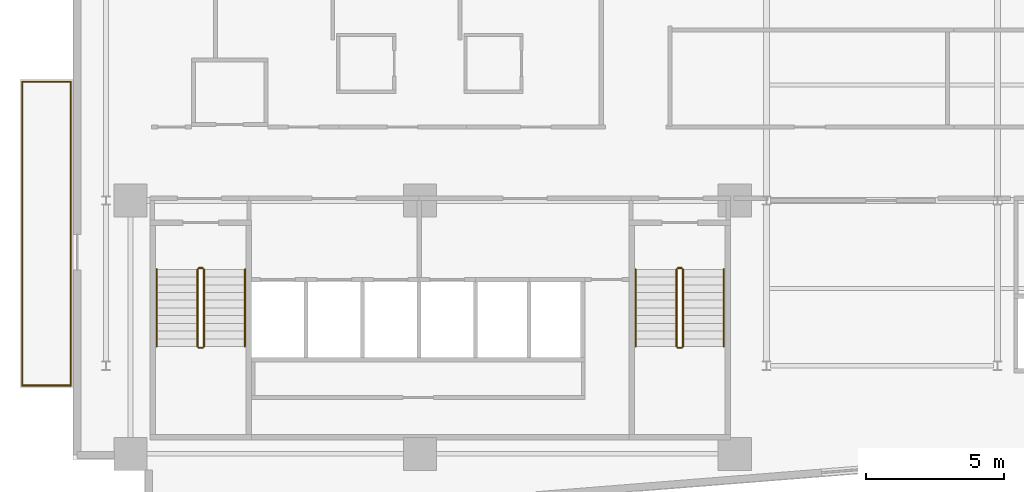
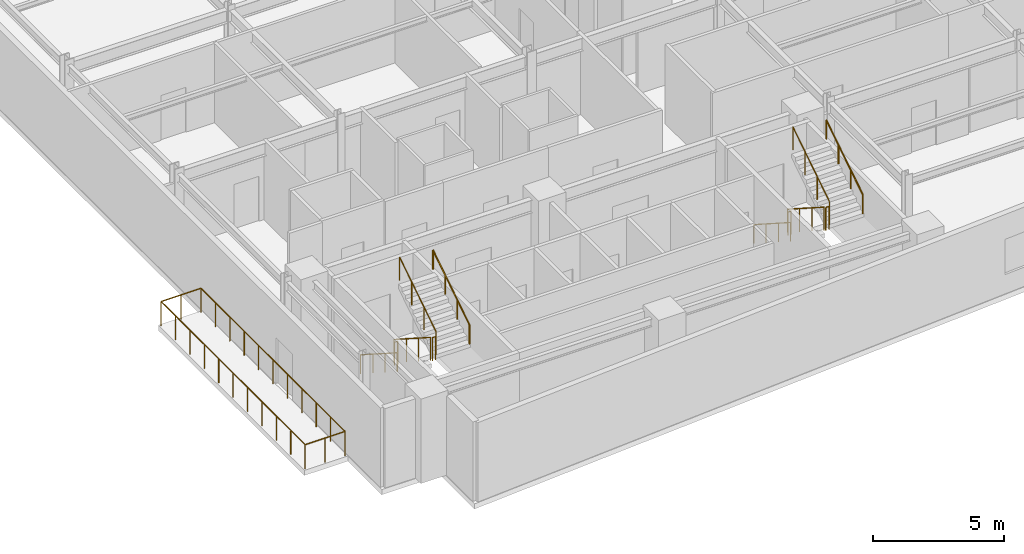
# One storey, part 15 of 18: 16 railings.
"""IFC4 building model written with IfcOpenShell, lengths in metres."""

from ifc_helpers import new_model, si_unit, direction, frame, origin, origin_2d, place, context, subcontext, project, spatial, circle, extrude, material, type_object, element, save


model = new_model("IFC4")

# Units and contexts
model_context = context("Model", 3, precision=1e-05, world=origin(), true_north=direction((0.0, 1.0)))
body_context = subcontext(model_context, "Body", "Model", "MODEL_VIEW")
ifc_project = project(units=[si_unit("LENGTHUNIT", "METRE"), si_unit("AREAUNIT", "SQUARE_METRE"), si_unit("VOLUMEUNIT", "CUBIC_METRE"), si_unit("PLANEANGLEUNIT", "RADIAN"), si_unit("MASSUNIT", "GRAM", prefix="KILO")], contexts=[model_context])

# Site, building, storey
site_placement = place(None, origin())
site = spatial("IfcSite", under=ifc_project, at=site_placement, CompositionType="ELEMENT")
building_placement = place(site_placement, origin())
building = spatial("IfcBuilding", under=site, at=building_placement, Name="Varnakote Quay Hospital", CompositionType="ELEMENT")
storey_placement = place(building_placement, frame((0.0, 0.0, 158.64990234375)))
storey = spatial("IfcBuildingStorey", under=building, at=storey_placement, Name="L39", CompositionType="ELEMENT", Elevation=158.64990234375)

# Railings
ifc_material_1 = material(Name="Anodised aluminium 6063-T6 Bronze", Category="aluminium")
railing_type_1 = type_object("IfcRailingType", Name="RLG-EXT-GUARD-1150", PredefinedType="GUARDRAIL", material=ifc_material_1)
railing_1_placement = place(storey_placement, frame((-0.075927734375, 5.280029296875, 0.0)))
element("IfcRailing", 1, at=railing_1_placement, inside=storey, type_object=railing_type_1, Name="L39 Zigzag Prow Healing Terrace Safety Guard", PredefinedType="GUARDRAIL", context=body_context, shape_type="SweptSolid", body=[
    extrude(circle(Radius=0.02392578125, at=origin_2d()), frame((0.0, 0.0, 1.1259765625), z_axis=(-1.0, 0.0, 0.0), x_axis=(0.0, -1.0, 0.0)), (0.0, 0.0, 1.0), 1.76416015625),
    extrude(circle(Radius=0.02099609375, at=origin_2d()), origin(), (0.0, 0.0, 1.0), 1.101806640625),
    extrude(circle(Radius=0.02099609375, at=origin_2d()), frame((-0.882080078125, 0.0, 0.0)), (0.0, 0.0, 1.0), 1.101806640625),
    extrude(circle(Radius=0.02099609375, at=origin_2d()), frame((-1.76416015625, 0.0, 0.0)), (0.0, 0.0, 1.0), 1.101806640625),
])
railing_2_placement = place(storey_placement, frame((-1.840087890625, 5.280029296875, 0.0)))
element("IfcRailing", 2, at=railing_2_placement, inside=storey, type_object=railing_type_1, Name="L39 Zigzag Prow Healing Terrace Safety Guard", PredefinedType="GUARDRAIL", context=body_context, shape_type="SweptSolid", body=[
    extrude(circle(Radius=0.02392578125, at=origin_2d()), frame((0.0, 0.0, 1.1259765625), z_axis=(0.0, 1.0, 0.0), x_axis=(-1.0, 0.0, 0.0)), (0.0, 0.0, 1.0), 11.0400390625),
    extrude(circle(Radius=0.02099609375, at=origin_2d()), origin(), (0.0, 0.0, 1.0), 1.101806640625),
    extrude(circle(Radius=0.02099609375, at=origin_2d()), frame((0.0, 1.10400390625, 0.0)), (0.0, 0.0, 1.0), 1.101806640625),
    extrude(circle(Radius=0.02099609375, at=origin_2d()), frame((0.0, 2.2080078125, 0.0)), (0.0, 0.0, 1.0), 1.101806640625),
    extrude(circle(Radius=0.02099609375, at=origin_2d()), frame((0.0, 3.31201171875, 0.0)), (0.0, 0.0, 1.0), 1.101806640625),
    extrude(circle(Radius=0.02099609375, at=origin_2d()), frame((0.0, 4.416015625, 0.0)), (0.0, 0.0, 1.0), 1.101806640625),
    extrude(circle(Radius=0.02099609375, at=origin_2d()), frame((0.0, 5.52001953125, 0.0)), (0.0, 0.0, 1.0), 1.101806640625),
    extrude(circle(Radius=0.02099609375, at=origin_2d()), frame((0.0, 6.6240234375, 0.0)), (0.0, 0.0, 1.0), 1.101806640625),
    extrude(circle(Radius=0.02099609375, at=origin_2d()), frame((0.0, 7.72802734375, 0.0)), (0.0, 0.0, 1.0), 1.101806640625),
    extrude(circle(Radius=0.02099609375, at=origin_2d()), frame((0.0, 8.83203125, 0.0)), (0.0, 0.0, 1.0), 1.101806640625),
    extrude(circle(Radius=0.02099609375, at=origin_2d()), frame((0.0, 9.93603515625, 0.0)), (0.0, 0.0, 1.0), 1.101806640625),
    extrude(circle(Radius=0.02099609375, at=origin_2d()), frame((0.0, 11.0400390625, 0.0)), (0.0, 0.0, 1.0), 1.101806640625),
])
railing_3_placement = place(storey_placement, frame((-1.840087890625, 16.320068359375, 0.0)))
element("IfcRailing", 3, at=railing_3_placement, inside=storey, type_object=railing_type_1, Name="L39 Zigzag Prow Healing Terrace Safety Guard", PredefinedType="GUARDRAIL", context=body_context, shape_type="SweptSolid", body=[
    extrude(circle(Radius=0.02392578125, at=origin_2d()), frame((0.0, 0.0, 1.1259765625), z_axis=(1.0, 0.0, 0.0), x_axis=(0.0, 1.0, 0.0)), (0.0, 0.0, 1.0), 1.76416015625),
    extrude(circle(Radius=0.02099609375, at=origin_2d()), origin(), (0.0, 0.0, 1.0), 1.101806640625),
    extrude(circle(Radius=0.02099609375, at=origin_2d()), frame((0.882080078125, 0.0, 0.0)), (0.0, 0.0, 1.0), 1.101806640625),
    extrude(circle(Radius=0.02099609375, at=origin_2d()), frame((1.76416015625, 0.0, 0.0)), (0.0, 0.0, 1.0), 1.101806640625),
])
railing_4_placement = place(storey_placement, frame((-0.075927734375, 16.320068359375, 0.0)))
element("IfcRailing", 4, at=railing_4_placement, inside=storey, type_object=railing_type_1, Name="L39 Zigzag Prow Healing Terrace Safety Guard", PredefinedType="GUARDRAIL", context=body_context, shape_type="SweptSolid", body=[
    extrude(circle(Radius=0.02392578125, at=origin_2d()), frame((0.0, 0.0, 1.1259765625), z_axis=(0.0, -1.0, 0.0), x_axis=(1.0, 0.0, 0.0)), (0.0, 0.0, 1.0), 11.0400390625),
    extrude(circle(Radius=0.02099609375, at=origin_2d()), origin(), (0.0, 0.0, 1.0), 1.101806640625),
    extrude(circle(Radius=0.02099609375, at=origin_2d()), frame((0.0, -1.10400390625, 0.0)), (0.0, 0.0, 1.0), 1.101806640625),
    extrude(circle(Radius=0.02099609375, at=origin_2d()), frame((0.0, -2.2080078125, 0.0)), (0.0, 0.0, 1.0), 1.101806640625),
    extrude(circle(Radius=0.02099609375, at=origin_2d()), frame((0.0, -3.31201171875, 0.0)), (0.0, 0.0, 1.0), 1.101806640625),
    extrude(circle(Radius=0.02099609375, at=origin_2d()), frame((0.0, -4.416015625, 0.0)), (0.0, 0.0, 1.0), 1.101806640625),
    extrude(circle(Radius=0.02099609375, at=origin_2d()), frame((0.0, -5.52001953125, 0.0)), (0.0, 0.0, 1.0), 1.101806640625),
    extrude(circle(Radius=0.02099609375, at=origin_2d()), frame((0.0, -6.6240234375, 0.0)), (0.0, 0.0, 1.0), 1.101806640625),
    extrude(circle(Radius=0.02099609375, at=origin_2d()), frame((0.0, -7.72802734375, 0.0)), (0.0, 0.0, 1.0), 1.101806640625),
    extrude(circle(Radius=0.02099609375, at=origin_2d()), frame((0.0, -8.83203125, 0.0)), (0.0, 0.0, 1.0), 1.101806640625),
    extrude(circle(Radius=0.02099609375, at=origin_2d()), frame((0.0, -9.93603515625, 0.0)), (0.0, 0.0, 1.0), 1.101806640625),
    extrude(circle(Radius=0.02099609375, at=origin_2d()), frame((0.0, -11.0400390625, 0.0)), (0.0, 0.0, 1.0), 1.101806640625),
])
ifc_material_2 = material(Name="Brushed stainless steel balustrade", Category="steel")
railing_type_2 = type_object("IfcRailingType", Name="RLG-STAIR-GUARD-1150", PredefinedType="GUARDRAIL", material=ifc_material_2)
railing_5_placement = place(storey_placement, frame((4.530029296875, 9.5, 0.1796875)))
element("IfcRailing", 5, at=railing_5_placement, inside=storey, type_object=railing_type_2, Name="L39 ST-01 stair guard 1", PredefinedType="GUARDRAIL", context=body_context, shape_type="SweptSolid", body=[
    extrude(circle(Radius=0.02392578125, at=origin_2d()), frame((0.0, 0.0, 1.076171875), z_axis=(0.0, -0.841809871826, 0.539774156196), x_axis=(1.0, 0.0, 0.0)), (0.0, 0.0, 1.0), 3.326171875),
    extrude(circle(Radius=0.02099609375, at=origin_2d()), origin(), (0.0, 0.0, 1.0), 1.052001953125),
    extrude(circle(Radius=0.02099609375, at=origin_2d()), frame((0.0, -0.933349609375, 0.598388671875)), (0.0, 0.0, 1.0), 1.052001953125),
    extrude(circle(Radius=0.02099609375, at=origin_2d()), frame((0.0, -1.86669921875, 1.197021484375)), (0.0, 0.0, 1.0), 1.052001953125),
    extrude(circle(Radius=0.02099609375, at=origin_2d()), frame((0.0, -2.800048828125, 1.79541015625)), (0.0, 0.0, 1.0), 1.052001953125),
])
railing_6_placement = place(storey_placement, frame((4.580078125, 6.64990234375, 1.97509765625)))
element("IfcRailing", 6, at=railing_6_placement, inside=storey, type_object=railing_type_2, Name="L39 ST-01 stair guard 2", PredefinedType="GUARDRAIL", context=body_context, shape_type="SweptSolid", body=[
    extrude(circle(Radius=0.02392578125, at=origin_2d()), frame((0.0, 0.0, 1.076171875), z_axis=(1.0, 0.0, 0.0), x_axis=(0.0, 1.0, 0.0)), (0.0, 0.0, 1.0), 0.139892578125),
    extrude(circle(Radius=0.02099609375, at=origin_2d()), origin(), (0.0, 0.0, 1.0), 1.052001953125),
    extrude(circle(Radius=0.02099609375, at=origin_2d()), frame((0.139892578125, 0.0, 0.0)), (0.0, 0.0, 1.0), 1.052001953125),
])
railing_7_placement = place(storey_placement, frame((4.77001953125, 6.699951171875, 2.154541015625)))
element("IfcRailing", 7, at=railing_7_placement, inside=storey, type_object=railing_type_2, Name="L39 ST-01 stair guard 3", PredefinedType="GUARDRAIL", context=body_context, shape_type="SweptSolid", body=[
    extrude(circle(Radius=0.02392578125, at=origin_2d()), frame((0.0, 0.0, 1.076171875), z_axis=(0.0, 0.841776520102, 0.539826166654), x_axis=(-1.0, 0.0, 0.0)), (0.0, 0.0, 1.0), 3.326416015625),
    extrude(circle(Radius=0.02099609375, at=origin_2d()), origin(), (0.0, 0.0, 1.0), 1.052001953125),
    extrude(circle(Radius=0.02099609375, at=origin_2d()), frame((0.0, 0.933349609375, 0.5986328125)), (0.0, 0.0, 1.0), 1.052001953125),
    extrude(circle(Radius=0.02099609375, at=origin_2d()), frame((0.0, 1.86669921875, 1.197021484375)), (0.0, 0.0, 1.0), 1.052001953125),
    extrude(circle(Radius=0.02099609375, at=origin_2d()), frame((0.0, 2.800048828125, 1.795654296875)), (0.0, 0.0, 1.0), 1.052001953125),
])
railing_8_placement = place(storey_placement, frame((4.580078125, 9.550048828125, 0.0)))
element("IfcRailing", 8, at=railing_8_placement, inside=storey, type_object=railing_type_2, Name="L39 ST-01 stair guard 4", PredefinedType="GUARDRAIL", context=body_context, shape_type="SweptSolid", body=[
    extrude(circle(Radius=0.02392578125, at=origin_2d()), frame((0.0, 0.0, 1.076171875), z_axis=(1.0, 0.0, 0.0), x_axis=(0.0, 1.0, 0.0)), (0.0, 0.0, 1.0), 0.139892578125),
    extrude(circle(Radius=0.02099609375, at=origin_2d()), origin(), (0.0, 0.0, 1.0), 1.052001953125),
    extrude(circle(Radius=0.02099609375, at=origin_2d()), frame((0.139892578125, 0.0, 0.0)), (0.0, 0.0, 1.0), 1.052001953125),
])
railing_9_placement = place(storey_placement, frame((21.929931640625, 9.5, 0.1796875)))
element("IfcRailing", 9, at=railing_9_placement, inside=storey, type_object=railing_type_2, Name="L39 ST-02 stair guard 1", PredefinedType="GUARDRAIL", context=body_context, shape_type="SweptSolid", body=[
    extrude(circle(Radius=0.02392578125, at=origin_2d()), frame((0.0, 0.0, 1.076171875), z_axis=(0.0, -0.841809871826, 0.539774156196), x_axis=(1.0, 0.0, 0.0)), (0.0, 0.0, 1.0), 3.326171875),
    extrude(circle(Radius=0.02099609375, at=origin_2d()), origin(), (0.0, 0.0, 1.0), 1.052001953125),
    extrude(circle(Radius=0.02099609375, at=origin_2d()), frame((0.0, -0.933349609375, 0.598388671875)), (0.0, 0.0, 1.0), 1.052001953125),
    extrude(circle(Radius=0.02099609375, at=origin_2d()), frame((0.0, -1.86669921875, 1.197021484375)), (0.0, 0.0, 1.0), 1.052001953125),
    extrude(circle(Radius=0.02099609375, at=origin_2d()), frame((0.0, -2.800048828125, 1.79541015625)), (0.0, 0.0, 1.0), 1.052001953125),
])
railing_10_placement = place(storey_placement, frame((21.97998046875, 6.64990234375, 1.97509765625)))
element("IfcRailing", 10, at=railing_10_placement, inside=storey, type_object=railing_type_2, Name="L39 ST-02 stair guard 2", PredefinedType="GUARDRAIL", context=body_context, shape_type="SweptSolid", body=[
    extrude(circle(Radius=0.02392578125, at=origin_2d()), frame((0.0, 0.0, 1.076171875), z_axis=(1.0, 0.0, 0.0), x_axis=(0.0, 1.0, 0.0)), (0.0, 0.0, 1.0), 0.14013671875),
    extrude(circle(Radius=0.02099609375, at=origin_2d()), origin(), (0.0, 0.0, 1.0), 1.052001953125),
    extrude(circle(Radius=0.02099609375, at=origin_2d()), frame((0.14013671875, 0.0, 0.0)), (0.0, 0.0, 1.0), 1.052001953125),
])
railing_11_placement = place(storey_placement, frame((22.169921875, 6.699951171875, 2.154541015625)))
element("IfcRailing", 11, at=railing_11_placement, inside=storey, type_object=railing_type_2, Name="L39 ST-02 stair guard 3", PredefinedType="GUARDRAIL", context=body_context, shape_type="SweptSolid", body=[
    extrude(circle(Radius=0.02392578125, at=origin_2d()), frame((0.0, 0.0, 1.076171875), z_axis=(0.0, 0.841776520102, 0.539826166654), x_axis=(-1.0, 0.0, 0.0)), (0.0, 0.0, 1.0), 3.326416015625),
    extrude(circle(Radius=0.02099609375, at=origin_2d()), origin(), (0.0, 0.0, 1.0), 1.052001953125),
    extrude(circle(Radius=0.02099609375, at=origin_2d()), frame((0.0, 0.933349609375, 0.5986328125)), (0.0, 0.0, 1.0), 1.052001953125),
    extrude(circle(Radius=0.02099609375, at=origin_2d()), frame((0.0, 1.86669921875, 1.197021484375)), (0.0, 0.0, 1.0), 1.052001953125),
    extrude(circle(Radius=0.02099609375, at=origin_2d()), frame((0.0, 2.800048828125, 1.795654296875)), (0.0, 0.0, 1.0), 1.052001953125),
])
railing_12_placement = place(storey_placement, frame((21.97998046875, 9.550048828125, 0.0)))
element("IfcRailing", 12, at=railing_12_placement, inside=storey, type_object=railing_type_2, Name="L39 ST-02 stair guard 4", PredefinedType="GUARDRAIL", context=body_context, shape_type="SweptSolid", body=[
    extrude(circle(Radius=0.02392578125, at=origin_2d()), frame((0.0, 0.0, 1.076171875), z_axis=(1.0, 0.0, 0.0), x_axis=(0.0, 1.0, 0.0)), (0.0, 0.0, 1.0), 0.14013671875),
    extrude(circle(Radius=0.02099609375, at=origin_2d()), origin(), (0.0, 0.0, 1.0), 1.052001953125),
    extrude(circle(Radius=0.02099609375, at=origin_2d()), frame((0.14013671875, 0.0, 0.0)), (0.0, 0.0, 1.0), 1.052001953125),
])
ifc_material_3 = material(Name="Brushed stainless steel handrail", Category="steel")
railing_type_3 = type_object("IfcRailingType", Name="RLG-STAIR-HND-920", PredefinedType="HANDRAIL", material=ifc_material_3)
railing_13_placement = place(storey_placement, frame((3.050048828125, 9.5, 0.1796875)))
element("IfcRailing", 13, at=railing_13_placement, inside=storey, type_object=railing_type_3, Name="L39 ST-01 stair handrail 1", PredefinedType="HANDRAIL", context=body_context, shape_type="SweptSolid", body=[
    extrude(circle(Radius=0.02392578125, at=origin_2d()), frame((0.0, 0.0, 0.8759765625), z_axis=(0.0, -0.841809871826, 0.539774156196), x_axis=(1.0, 0.0, 0.0)), (0.0, 0.0, 1.0), 3.326171875),
    extrude(circle(Radius=0.02099609375, at=origin_2d()), origin(), (0.0, 0.0, 1.0), 0.851806640625),
    extrude(circle(Radius=0.02099609375, at=origin_2d()), frame((0.0, -0.933349609375, 0.598388671875)), (0.0, 0.0, 1.0), 0.851806640625),
    extrude(circle(Radius=0.02099609375, at=origin_2d()), frame((0.0, -1.86669921875, 1.197021484375)), (0.0, 0.0, 1.0), 0.851806640625),
    extrude(circle(Radius=0.02099609375, at=origin_2d()), frame((0.0, -2.800048828125, 1.79541015625)), (0.0, 0.0, 1.0), 0.851806640625),
])
railing_14_placement = place(storey_placement, frame((6.25, 6.699951171875, 2.154541015625)))
element("IfcRailing", 14, at=railing_14_placement, inside=storey, type_object=railing_type_3, Name="L39 ST-01 stair handrail 2", PredefinedType="HANDRAIL", context=body_context, shape_type="SweptSolid", body=[
    extrude(circle(Radius=0.02392578125, at=origin_2d()), frame((0.0, 0.0, 0.8759765625), z_axis=(0.0, 0.841776520102, 0.539826166654), x_axis=(-1.0, 0.0, 0.0)), (0.0, 0.0, 1.0), 3.326416015625),
    extrude(circle(Radius=0.02099609375, at=origin_2d()), origin(), (0.0, 0.0, 1.0), 0.851806640625),
    extrude(circle(Radius=0.02099609375, at=origin_2d()), frame((0.0, 0.933349609375, 0.5986328125)), (0.0, 0.0, 1.0), 0.851806640625),
    extrude(circle(Radius=0.02099609375, at=origin_2d()), frame((0.0, 1.86669921875, 1.197021484375)), (0.0, 0.0, 1.0), 0.851806640625),
    extrude(circle(Radius=0.02099609375, at=origin_2d()), frame((0.0, 2.800048828125, 1.795654296875)), (0.0, 0.0, 1.0), 0.851806640625),
])
railing_15_placement = place(storey_placement, frame((20.449951171875, 9.5, 0.1796875)))
element("IfcRailing", 15, at=railing_15_placement, inside=storey, type_object=railing_type_3, Name="L39 ST-02 stair handrail 1", PredefinedType="HANDRAIL", context=body_context, shape_type="SweptSolid", body=[
    extrude(circle(Radius=0.02392578125, at=origin_2d()), frame((0.0, 0.0, 0.8759765625), z_axis=(0.0, -0.841809871826, 0.539774156196), x_axis=(1.0, 0.0, 0.0)), (0.0, 0.0, 1.0), 3.326171875),
    extrude(circle(Radius=0.02099609375, at=origin_2d()), origin(), (0.0, 0.0, 1.0), 0.851806640625),
    extrude(circle(Radius=0.02099609375, at=origin_2d()), frame((0.0, -0.933349609375, 0.598388671875)), (0.0, 0.0, 1.0), 0.851806640625),
    extrude(circle(Radius=0.02099609375, at=origin_2d()), frame((0.0, -1.86669921875, 1.197021484375)), (0.0, 0.0, 1.0), 0.851806640625),
    extrude(circle(Radius=0.02099609375, at=origin_2d()), frame((0.0, -2.800048828125, 1.79541015625)), (0.0, 0.0, 1.0), 0.851806640625),
])
railing_16_placement = place(storey_placement, frame((23.64990234375, 6.699951171875, 2.154541015625)))
element("IfcRailing", 16, at=railing_16_placement, inside=storey, type_object=railing_type_3, Name="L39 ST-02 stair handrail 2", PredefinedType="HANDRAIL", context=body_context, shape_type="SweptSolid", body=[
    extrude(circle(Radius=0.02392578125, at=origin_2d()), frame((0.0, 0.0, 0.8759765625), z_axis=(0.0, 0.841776520102, 0.539826166654), x_axis=(-1.0, 0.0, 0.0)), (0.0, 0.0, 1.0), 3.326416015625),
    extrude(circle(Radius=0.02099609375, at=origin_2d()), origin(), (0.0, 0.0, 1.0), 0.851806640625),
    extrude(circle(Radius=0.02099609375, at=origin_2d()), frame((0.0, 0.933349609375, 0.5986328125)), (0.0, 0.0, 1.0), 0.851806640625),
    extrude(circle(Radius=0.02099609375, at=origin_2d()), frame((0.0, 1.86669921875, 1.197021484375)), (0.0, 0.0, 1.0), 0.851806640625),
    extrude(circle(Radius=0.02099609375, at=origin_2d()), frame((0.0, 2.800048828125, 1.795654296875)), (0.0, 0.0, 1.0), 0.851806640625),
])

save(model, "model.ifc")
